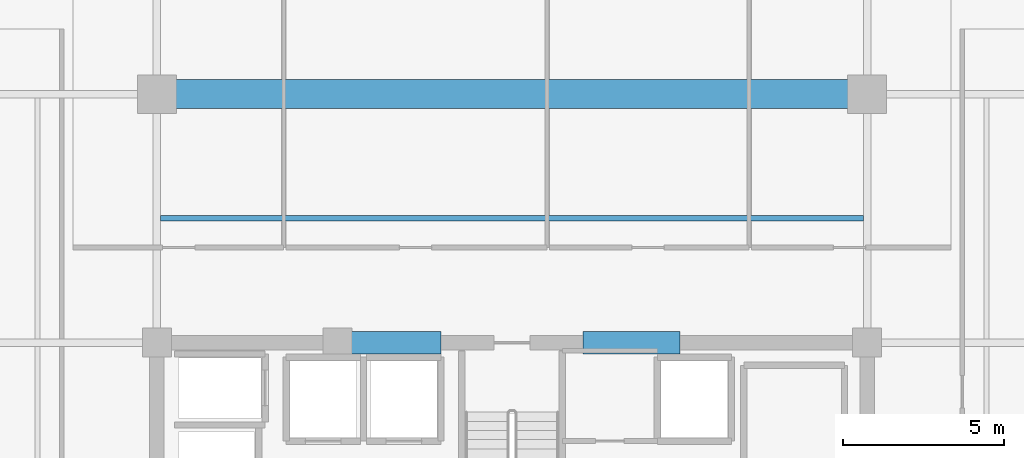
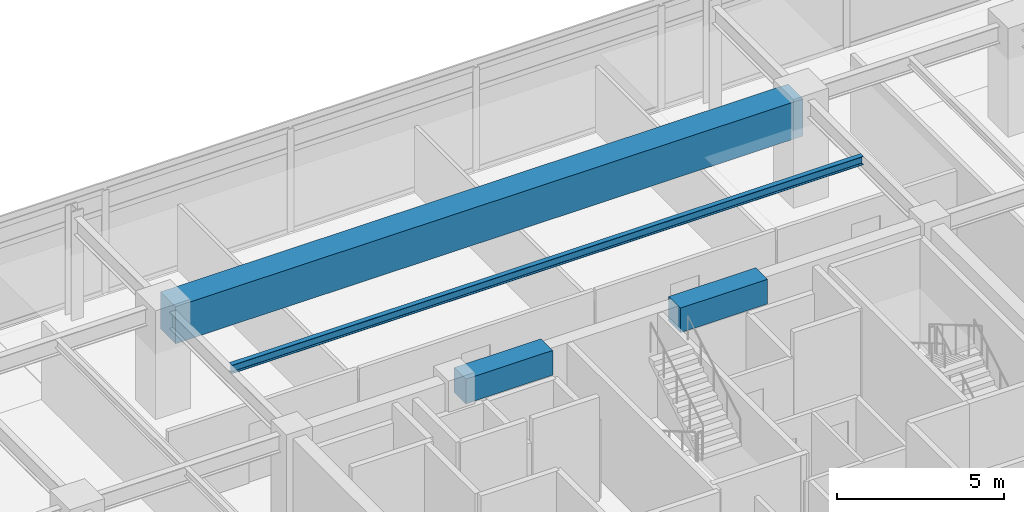
# One storey, part 8 of 24: 4 beams.
"""IFC4 building model written with IfcOpenShell, lengths in metres."""

from ifc_helpers import new_model, si_unit, direction, frame, origin, origin_2d, place, context, subcontext, project, spatial, rectangle, i_section, extrude, material, material_profile, profile_set, type_object, element, save


model = new_model("IFC4")

# Units and contexts
model_context = context("Model", 3, precision=1e-05, world=origin(), true_north=direction((0.0, 1.0)))
body_context = subcontext(model_context, "Body", "Model", "MODEL_VIEW")
ifc_project = project(units=[si_unit("LENGTHUNIT", "METRE"), si_unit("AREAUNIT", "SQUARE_METRE"), si_unit("VOLUMEUNIT", "CUBIC_METRE"), si_unit("PLANEANGLEUNIT", "RADIAN"), si_unit("MASSUNIT", "GRAM", prefix="KILO")], contexts=[model_context])

# Site, building, storey
site_placement = place(None, origin())
site = spatial("IfcSite", under=ifc_project, at=site_placement, CompositionType="ELEMENT")
building_placement = place(site_placement, origin())
building = spatial("IfcBuilding", under=site, at=building_placement, Name="Kovane Verandah Tower", CompositionType="ELEMENT")
storey_placement = place(building_placement, frame((0.0, 0.0, 259.199951171875)))
storey = spatial("IfcBuildingStorey", under=building, at=storey_placement, Name="L60", CompositionType="ELEMENT", Elevation=259.199951171875)

# Beams
ifc_material_1 = material(Name="Concrete C60/75", Category="concrete")
ifc_material_profile_1 = material_profile(ifc_material_1, rectangle(XDim=0.699951171875, YDim=0.89990234375, at=origin_2d()), Name="RCB700x900")
ifc_profile_set_1 = profile_set([ifc_material_profile_1], Name="Concrete C60/75")
beam_type_1 = type_object("IfcBeamType", Name="BM-LINTEL-700x900", PredefinedType="LINTEL", material=ifc_profile_set_1)
for number, where, z_axis, x_axis, name in (
    (1, (34.800048828125, 36.5, 3.3349609375), (1.0, 0.0, 0.0), (0.0, 1.0, 0.0), "L60 Core Coupling Lintel CL-N1"),
    (2, (42.199951171875, 36.5, 3.3349609375), (1.0, 0.0, 0.0), (0.0, 1.0, 0.0), "L60 Core Coupling Lintel CL-N2"),
):
    element("IfcBeam", number, at=place(storey_placement, frame(where, z_axis=z_axis, x_axis=x_axis)), inside=storey, type_object=beam_type_1, Name=name, PredefinedType="LINTEL", context=body_context, shape_type="SweptSolid", body=[
        extrude(rectangle(XDim=0.699951171875, YDim=0.89990234375, at=origin_2d()), origin(), (0.0, 0.0, 1.0), 3.0),
    ])
ifc_material_2 = material(Name="Concrete C80/95", Category="concrete")
ifc_material_profile_2 = material_profile(ifc_material_2, rectangle(XDim=0.89990234375, YDim=1.35009765625, at=origin_2d()), Name="RCB900x1350")
ifc_profile_set_2 = profile_set([ifc_material_profile_2], Name="Concrete C80/95")
beam_type_2 = type_object("IfcBeamType", Name="BM-TR-900x1350", PredefinedType="BEAM", material=ifc_profile_set_2)
beam_1_placement = place(storey_placement, frame((29.179931640625, 44.199951171875, 3.110107421875), z_axis=(1.0, 0.0, 0.0), x_axis=(0.0, 1.0, 0.0)))
element("IfcBeam", 3, at=beam_1_placement, inside=storey, type_object=beam_type_2, Name="L60 Primary Tower Girder G-RN2", PredefinedType="BEAM", context=body_context, shape_type="SweptSolid", body=[
    extrude(rectangle(XDim=0.89990234375, YDim=1.35009765625, at=origin_2d()), origin(), (0.0, 0.0, 1.0), 21.64013671875),
])
ifc_material_3 = material(Name="Steel S355", Category="steel")
ifc_material_profile_3 = material_profile(ifc_material_3, i_section(OverallWidth=0.1669921875, OverallDepth=0.310302734375, WebThickness=0.0078125, FlangeThickness=0.013671875, FilletRadius=0.0087890625, at=origin_2d()), Name="UB305x165x54")
ifc_profile_set_3 = profile_set([ifc_material_profile_3], Name="Steel S355")
beam_type_3 = type_object("IfcBeamType", Name="JST-UB305x54", PredefinedType="JOIST", material=ifc_profile_set_3)
beam_2_placement = place(storey_placement, frame((29.113037109375, 40.35009765625, 3.6298828125), z_axis=(1.0, 0.0, 0.0), x_axis=(0.0, 1.0, 0.0)))
element("IfcBeam", 4, at=beam_2_placement, inside=storey, type_object=beam_type_3, Name="L60 Secondary Composite Joist J-N1", PredefinedType="JOIST", context=body_context, shape_type="SweptSolid", body=[
    extrude(i_section(OverallWidth=0.1669921875, OverallDepth=0.310302734375, WebThickness=0.0078125, FlangeThickness=0.013671875, FilletRadius=0.0087890625, at=origin_2d()), origin(), (0.0, 0.0, 1.0), 21.77392578125),
])

save(model, "model.ifc")
